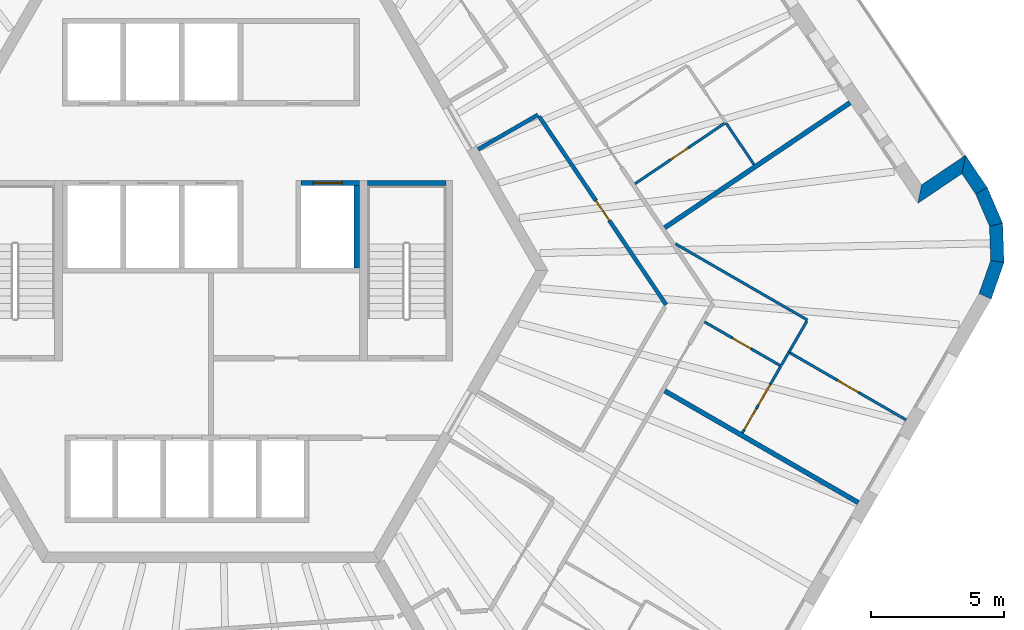
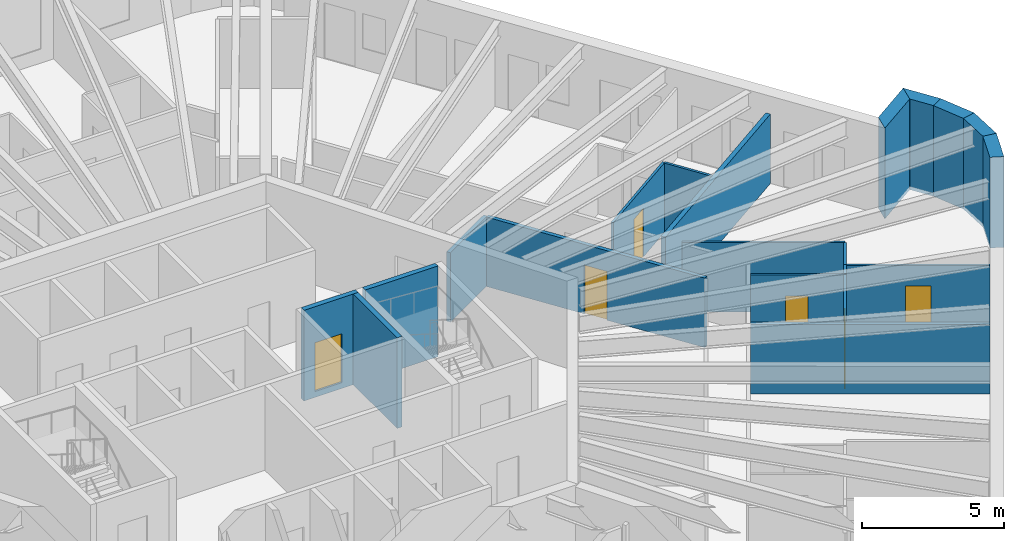
# One storey, part 7 of 12: 20 walls, 7 doors, 7 openings.
"""IFC4 building model written with IfcOpenShell, lengths in metres."""

import ifcopenshell
import ifcopenshell.guid

model = None  # the IFC model being written
_history = None  # IfcOwnerHistory: only IFC2X3 demands one
_inside = {}  # id of a spatial element -> (the spatial element, [elements in it])
_under = {}  # id of a project, library or spatial element -> (it, [spatial elements below it])
_declared = {}  # id of a project -> (the project, [libraries it declares])
_typed = {}  # id of a type object -> (the type object, [elements of that type])
_made_of = {}  # id of a material, layer set ... -> (it, [elements and type objects made of it])


def new_model(schema):
    """Start an empty IFC model of exactly this schema.

    Asked for "IFC4X3", IfcOpenShell would pick the latest addendum, in which some entities
    have other attributes; the version numbers below select the first issue.
    IFC2X3 requires an IfcOwnerHistory on every rooted entity: one is made here for all.
    """
    global model, _history
    if schema == "IFC4X3":
        model = ifcopenshell.file(schema_version=(4, 3, 0, 0))
    else:
        model = ifcopenshell.file(schema=schema)
    _inside.clear()
    _under.clear()
    _declared.clear()
    _typed.clear()
    _made_of.clear()
    _history = None
    if model.schema == "IFC2X3":
        org = make("IfcOrganization", Name="unknown")
        user = make(
            "IfcPersonAndOrganization",
            ThePerson=make("IfcPerson", FamilyName="unknown"),
            TheOrganization=org,
        )
        app = make(
            "IfcApplication",
            ApplicationDeveloper=org,
            Version="unknown",
            ApplicationFullName="unknown",
            ApplicationIdentifier="unknown",
        )
        _history = make(
            "IfcOwnerHistory",
            OwningUser=user,
            OwningApplication=app,
            ChangeAction="ADDED",
            CreationDate=0,
        )
    return model


def make(cls, **values):
    """One entity of the class cls with the attributes given. An attribute that is None is left unset."""
    return model.create_entity(
        cls, **{name: value for name, value in values.items() if value is not None}
    )


def rooted(cls, **values):
    """An entity with a GlobalId (a new one), such as an element, a storey or a relation."""
    return make(cls, GlobalId=ifcopenshell.guid.new(), OwnerHistory=_history, **values)


def si_unit(unit_type, name, prefix=None):
    """IfcSIUnit, for example si_unit("LENGTHUNIT", "METRE", prefix="MILLI")."""
    return make("IfcSIUnit", UnitType=unit_type, Prefix=prefix, Name=name)


def assignment(units):
    """IfcUnitAssignment: the units of a project."""
    return None if units is None else make("IfcUnitAssignment", Units=units)


def point(xyz):
    """IfcCartesianPoint."""
    return None if xyz is None else make("IfcCartesianPoint", Coordinates=xyz)


def direction(xyz):
    """IfcDirection."""
    return None if xyz is None else make("IfcDirection", DirectionRatios=xyz)


def frame(location, z_axis=None, x_axis=None):
    """IfcAxis2Placement3D, a coordinate frame: its origin and axes. An axis left out is left unset."""
    return make(
        "IfcAxis2Placement3D",
        Location=point(location),
        Axis=direction(z_axis),
        RefDirection=direction(x_axis),
    )


def frame_2d(location, x_axis=None):
    """IfcAxis2Placement2D, a coordinate frame in the plane: its origin and x axis."""
    return make(
        "IfcAxis2Placement2D", Location=point(location), RefDirection=direction(x_axis)
    )


def origin():
    """The frame at (0, 0, 0) with its axes left unset."""
    return frame((0.0, 0.0, 0.0))


def place(relative_to, where):
    """IfcLocalPlacement: puts the frame where relative to a parent placement (None: the world)."""
    return make(
        "IfcLocalPlacement", PlacementRelTo=relative_to, RelativePlacement=where
    )


def context(
    kind, dimensions, precision=None, world=None, true_north=None, identifier=None
):
    """IfcGeometricRepresentationContext, for example the 3D "Model" context."""
    return make(
        "IfcGeometricRepresentationContext",
        ContextIdentifier=identifier,
        ContextType=kind,
        CoordinateSpaceDimension=dimensions,
        Precision=precision,
        WorldCoordinateSystem=world,
        TrueNorth=true_north,
    )


def subcontext(parent, identifier, kind, view, scale=None):
    """IfcGeometricRepresentationSubContext, for example "Body" below "Model"."""
    return make(
        "IfcGeometricRepresentationSubContext",
        ContextIdentifier=identifier,
        ContextType=kind,
        ParentContext=parent,
        TargetScale=scale,
        TargetView=view,
    )


def project(units=None, contexts=None):
    """IfcProject with its units and contexts."""
    return rooted(
        "IfcProject",
        Name="project",
        RepresentationContexts=contexts,
        UnitsInContext=assignment(units),
    )


def spatial(cls, under=None, at=None, **own):
    """A site, building, storey or space (cls), placed at a placement, below another one or the project."""
    s = rooted(cls, ObjectPlacement=at, **own)
    if under is not None:
        _under.setdefault(under.id(), (under, []))[1].append(s)
    return s


def polyline(points):
    """IfcPolyline through the points."""
    return make("IfcPolyline", Points=[point(p) for p in points])


def profile(cls, at=None, kind="AREA", **sizes):
    """A parametric profile (cls). Its sizes go by their IFC names, for example OverallWidth=200.0."""
    return make(cls, ProfileType=kind, Position=at, **sizes)


def rectangle(**sizes):
    """IfcRectangleProfileDef."""
    return profile("IfcRectangleProfileDef", **sizes)


def outline(outer, holes=None, kind="AREA"):
    """IfcArbitraryClosedProfileDef: a profile drawn as a closed curve; with holes, ...WithVoids."""
    if holes is None:
        return make("IfcArbitraryClosedProfileDef", ProfileType=kind, OuterCurve=outer)
    return make(
        "IfcArbitraryProfileDefWithVoids",
        ProfileType=kind,
        OuterCurve=outer,
        InnerCurves=holes,
    )


def extrude(swept, where, along, depth):
    """IfcExtrudedAreaSolid: the profile swept, set in the frame where, extruded along a direction by depth."""
    return make(
        "IfcExtrudedAreaSolid",
        SweptArea=swept,
        Position=where,
        ExtrudedDirection=direction(along),
        Depth=depth,
    )


def shape(context_of_items, identifier, shape_type, items):
    """IfcShapeRepresentation: the items that make up one representation, for example the "Body"."""
    return make(
        "IfcShapeRepresentation",
        ContextOfItems=context_of_items,
        RepresentationIdentifier=identifier,
        RepresentationType=shape_type,
        Items=items,
    )


def material(Name=None, Category=None):
    """IfcMaterial."""
    return make("IfcMaterial", Name=Name, Category=Category)


def layer(
    of_material, thickness, ventilated=None, Name=None, Category=None, Priority=None
):
    """IfcMaterialLayer: one layer of a wall or slab, of a material (None: an air gap)."""
    return make(
        "IfcMaterialLayer",
        Material=of_material,
        LayerThickness=thickness,
        IsVentilated=ventilated,
        Name=Name,
        Category=Category,
        Priority=Priority,
    )


def layer_set(layers, Name=None):
    """IfcMaterialLayerSet."""
    return make("IfcMaterialLayerSet", MaterialLayers=layers, LayerSetName=Name)


def made_of(thing, what):
    """Note that an element or type object is made of a material, layer set ...; save() writes the relation."""
    if what is not None:
        _made_of.setdefault(what.id(), (what, []))[1].append(thing)
    return thing


def type_object(cls, material=None, **own):
    """A type object (cls), such as IfcWallType, which elements share."""
    return made_of(rooted(cls, **own), material)


def element(
    cls,
    number,
    at=None,
    inside=None,
    cuts=None,
    type_object=None,
    material=None,
    context=None,
    identifier="Body",
    shape_type=None,
    held_by="IfcProductDefinitionShape",
    body=None,
    shapes=None,
    **own,
):
    """One element of the class cls, such as IfcWall. Its Tag is "e" and its number.

    at: its placement. inside: the storey or other place that contains it. cuts: it is an
    opening in that element (IfcRelVoidsElement). A single representation is given by context,
    identifier, shape_type and body (its items); several are given by shapes. held_by: the class
    of the entity that holds the representations. save() writes the other relations.
    """
    e = rooted(cls, Tag="e%d" % number, ObjectPlacement=at, **own)
    if body is not None:
        shapes = [shape(context, identifier, shape_type, body)]
    if shapes is not None:
        e.Representation = make(held_by, Representations=shapes)
    if inside is not None:
        _inside.setdefault(inside.id(), (inside, []))[1].append(e)
    if cuts is not None:
        rooted(
            "IfcRelVoidsElement", RelatingBuildingElement=cuts, RelatedOpeningElement=e
        )
    if type_object is not None:
        _typed.setdefault(type_object.id(), (type_object, []))[1].append(e)
    return made_of(e, material)


def fill(opening, filler):
    """IfcRelFillsElement: the door or window that sits in an opening."""
    return rooted(
        "IfcRelFillsElement",
        RelatingOpeningElement=opening,
        RelatedBuildingElement=filler,
    )


def aggregate(whole, parts):
    """IfcRelAggregates: a whole, such as a stair, and the parts it consists of."""
    return rooted("IfcRelAggregates", RelatingObject=whole, RelatedObjects=parts)


def save(model, path):
    """Write the relations noted so far, then the file.

    IfcRelAggregates (storeys below a building ...), IfcRelContainedInSpatialStructure (elements
    in a storey), IfcRelDefinesByType, IfcRelAssociatesMaterial and IfcRelDeclares: one each for
    every whole, place, type object, material and project.
    """
    for whole, parts in _under.values():
        aggregate(whole, parts)
    for where, things in _inside.values():
        rooted(
            "IfcRelContainedInSpatialStructure",
            RelatedElements=things,
            RelatingStructure=where,
        )
    for kind, things in _typed.values():
        rooted("IfcRelDefinesByType", RelatedObjects=things, RelatingType=kind)
    for what, things in _made_of.values():
        rooted("IfcRelAssociatesMaterial", RelatedObjects=things, RelatingMaterial=what)
    for by, libraries in _declared.values():
        rooted("IfcRelDeclares", RelatingContext=by, RelatedDefinitions=libraries)
    model.write(path)


model = new_model("IFC4")

# Units and contexts
model_context = context("Model", 3, precision=1e-05, world=origin(), true_north=direction((0.0, 1.0)))
body_context = subcontext(model_context, "Body", "Model", "MODEL_VIEW")
ifc_project = project(units=[si_unit("LENGTHUNIT", "METRE"), si_unit("AREAUNIT", "SQUARE_METRE"), si_unit("VOLUMEUNIT", "CUBIC_METRE"), si_unit("PLANEANGLEUNIT", "RADIAN"), si_unit("MASSUNIT", "GRAM", prefix="KILO")], contexts=[model_context])

# Site, building, storey
site_placement = place(None, origin())
site = spatial("IfcSite", under=ifc_project, at=site_placement, CompositionType="ELEMENT")
building_placement = place(site_placement, origin())
building = spatial("IfcBuilding", under=site, at=building_placement, Name="Tarnside Tower", CompositionType="ELEMENT")
storey_placement = place(building_placement, frame((0.0, 0.0, 295.199951171875)))
storey = spatial("IfcBuildingStorey", under=building, at=storey_placement, Name="L71", CompositionType="ELEMENT", Elevation=295.199951171875)

# Walls
ifc_material_1 = material(Name="Gypsum board partition on steel studs", Category="steel")
ifc_layer_1 = layer(ifc_material_1, 0.10009765625)
ifc_layer_set_1 = layer_set([ifc_layer_1], Name="Bathroom wall 100")
wall_type_1 = type_object("IfcWallType", Name="Bathroom wall 100", PredefinedType="PARTITIONING", material=ifc_layer_set_1)
wall_1_placement = place(storey_placement, frame((17.50390625, 1.0078125, 0.0), z_axis=(0.0, 0.0, 1.0), x_axis=(0.866022112445, -0.500005700723, 0.0)))
element("IfcWall", 1, at=wall_1_placement, inside=storey, type_object=wall_type_1, Name="Bathroom wall 23149", PredefinedType="PARTITIONING", context=body_context, shape_type="SweptSolid", body=[
    extrude(rectangle(XDim=5.7451171875, YDim=0.10009765625, at=frame_2d((2.87255859375, 0.0))), origin(), (0.0, 0.0, 1.0), 2.98779296875),
])
wall_2_placement = place(storey_placement, frame((22.454345703125, -1.907958984375, 0.0), z_axis=(0.0, 0.0, 1.0), x_axis=(-0.500003806764, -0.866023205937, 0.0)))
element("IfcWall", 2, at=wall_2_placement, inside=storey, type_object=wall_type_1, Name="Bathroom wall 23150", PredefinedType="PARTITIONING", context=body_context, shape_type="SweptSolid", body=[
    extrude(rectangle(XDim=1.35205078125, YDim=0.10009765625, at=frame_2d((0.676025390625, 0.0))), origin(), (0.0, 0.0, 1.0), 2.98779296875),
])

# Wall, opening, door
wall_3_placement = place(storey_placement, frame((21.479248046875, -3.5966796875, 0.0), z_axis=(0.0, 0.0, 1.0), x_axis=(-0.866033959199, 0.499985181294, 0.0)))
wall_3 = element("IfcWall", 3, at=wall_3_placement, inside=storey, type_object=wall_type_1, Name="Bathroom wall 23154", PredefinedType="PARTITIONING", context=body_context, shape_type="SweptSolid", body=[
    extrude(rectangle(XDim=3.32470703125, YDim=0.10009765625, at=frame_2d((1.662353515625, 0.0))), origin(), (0.0, 0.0, 1.0), 2.98779296875),
])
opening_1_placement = place(wall_3_placement, frame((1.300048828125, 0.0, 0.0)))
opening_1 = element("IfcOpeningElement", 4, at=opening_1_placement, cuts=wall_3, Name="Opening D-B1", PredefinedType="OPENING", context=body_context, shape_type="SweptSolid", body=[
    extrude(rectangle(XDim=0.800048828125, YDim=2.10009765625, at=frame_2d((0.39990234375, 1.050048828125))), frame((0.0, 0.06005859375, 0.0), z_axis=(0.0, -1.0, 0.0), x_axis=(1.0, 0.0, 0.0)), (0.0, 0.0, 1.0), 0.1201171875),
])
ifc_material_2 = material(Name="Timber door leaf", Category="wood")
door_type_1 = type_object("IfcDoorType", Name="Bathroom door 800", OperationType="NOTDEFINED", PredefinedType="DOOR", material=ifc_material_2)
door_1_placement = place(opening_1_placement, origin())
door_1 = element("IfcDoor", 5, at=door_1_placement, inside=storey, type_object=door_type_1, Name="Bathroom door 23047", OperationType="SINGLE_SWING_LEFT", OverallHeight=2.10009765625, OverallWidth=0.800048828125, PredefinedType="DOOR", context=body_context, shape_type="SweptSolid", body=[
    extrude(rectangle(XDim=0.800048828125, YDim=2.10009765625, at=frame_2d((0.39990234375, 1.050048828125))), frame((0.0, 0.02490234375, 0.0), z_axis=(0.0, -1.0, 0.0), x_axis=(1.0, 0.0, 0.0)), (0.0, 0.0, 1.0), 0.050048828125),
])
fill(opening_1, door_1)

# Wall
wall_4_placement = place(storey_placement, frame((21.50341796875, -3.55517578125, 0.0), z_axis=(0.0, 0.0, 1.0), x_axis=(0.499850094852, 0.866111934265, 0.0)))
element("IfcWall", 6, at=wall_4_placement, inside=storey, type_object=wall_type_1, Name="Bathroom wall 23156", PredefinedType="PARTITIONING", context=body_context, shape_type="SweptSolid", body=[
    extrude(rectangle(XDim=0.552001953125, YDim=0.10009765625, at=frame_2d((0.27587890625, 0.0))), origin(), (0.0, 0.0, 1.0), 2.98779296875),
])

# Wall, opening, door
wall_5_placement = place(storey_placement, frame((15.978515625, 3.269287109375, 0.0), z_axis=(0.0, 0.0, 1.0), x_axis=(0.829051710838, 0.559171942033, 0.0)))
wall_5 = element("IfcWall", 7, at=wall_5_placement, inside=storey, type_object=wall_type_1, Name="Bathroom wall 23161", PredefinedType="PARTITIONING", context=body_context, shape_type="SweptSolid", body=[
    extrude(rectangle(XDim=4.125, YDim=0.10009765625, at=frame_2d((2.0625, 0.0))), origin(), (0.0, 0.0, 1.0), 2.98779296875),
])
opening_2_placement = place(wall_5_placement, frame((1.625, 0.0, 0.0)))
opening_2 = element("IfcOpeningElement", 8, at=opening_2_placement, cuts=wall_5, Name="Opening D-B1", PredefinedType="OPENING", context=body_context, shape_type="SweptSolid", body=[
    extrude(rectangle(XDim=0.800048828125, YDim=2.10009765625, at=frame_2d((0.39990234375, 1.050048828125))), frame((0.0, 0.06005859375, 0.0), z_axis=(0.0, -1.0, 0.0), x_axis=(1.0, 0.0, 0.0)), (0.0, 0.0, 1.0), 0.1201171875),
])
door_2_placement = place(opening_2_placement, origin())
door_2 = element("IfcDoor", 9, at=door_2_placement, inside=storey, type_object=door_type_1, Name="Bathroom door 23052", OperationType="SINGLE_SWING_RIGHT", OverallHeight=2.10009765625, OverallWidth=0.800048828125, PredefinedType="DOOR", context=body_context, shape_type="SweptSolid", body=[
    extrude(rectangle(XDim=0.800048828125, YDim=2.10009765625, at=frame_2d((0.39990234375, 1.050048828125))), frame((0.0, 0.02490234375, 0.0), z_axis=(0.0, -1.0, 0.0), x_axis=(1.0, 0.0, 0.0)), (0.0, 0.0, 1.0), 0.050048828125),
])
fill(opening_2, door_2)

# Walls
wall_6_placement = place(storey_placement, frame((20.46630859375, 3.992431640625, 0.0), z_axis=(0.0, 0.0, 1.0), x_axis=(-0.559110227504, 0.829093332201, 0.0)))
element("IfcWall", 10, at=wall_6_placement, inside=storey, type_object=wall_type_1, Name="Bathroom wall 23163", PredefinedType="PARTITIONING", context=body_context, shape_type="SweptSolid", body=[
    extrude(rectangle(XDim=1.86181640625, YDim=0.10009765625, at=frame_2d((0.930908203125, 0.0))), origin(), (0.0, 0.0, 1.0), 2.98779296875),
])
ifc_layer_2 = layer(ifc_material_1, 0.14990234375)
ifc_layer_set_2 = layer_set([ifc_layer_2], Name="Corridor wall 150 EI 60")
wall_type_2 = type_object("IfcWallType", Name="Corridor wall 150 EI 60", PredefinedType="PARTITIONING", material=ifc_layer_set_2)
wall_7_placement = place(storey_placement, frame((10.065673828125, 4.565673828125, 0.0), z_axis=(0.0, 0.0, 1.0), x_axis=(0.866034402474, 0.499984413489, 0.0)))
element("IfcWall", 11, at=wall_7_placement, inside=storey, type_object=wall_type_2, Name="Corridor wall 23069", PredefinedType="PARTITIONING", context=body_context, shape_type="SweptSolid", body=[
    extrude(rectangle(XDim=2.6083984375, YDim=0.14990234375, at=frame_2d((1.30419921875, 0.0))), origin(), (0.0, 0.0, 1.0), 2.98779296875),
])

# Wall, opening, door
wall_8_placement = place(storey_placement, frame((12.36669921875, 5.8076171875, 0.0), z_axis=(0.0, 0.0, 1.0), x_axis=(0.559187256666, -0.829041381345, 0.0)))
wall_8 = element("IfcWall", 12, at=wall_8_placement, inside=storey, type_object=wall_type_2, Name="Corridor wall 23070", PredefinedType="PARTITIONING", context=body_context, shape_type="SweptSolid", body=[
    extrude(rectangle(XDim=8.560302734375, YDim=0.14990234375, at=frame_2d((4.2802734375, 0.0))), origin(), (0.0, 0.0, 1.0), 2.98779296875),
])
opening_3_placement = place(wall_8_placement, frame((3.830078125, 0.0, 0.0)))
opening_3 = element("IfcOpeningElement", 13, at=opening_3_placement, cuts=wall_8, Name="Opening D-S1", PredefinedType="OPENING", context=body_context, shape_type="SweptSolid", body=[
    extrude(rectangle(XDim=0.89990234375, YDim=2.10009765625, at=frame_2d((0.449951171875, 1.050048828125))), frame((0.0, 0.0849609375, 0.0), z_axis=(0.0, -1.0, 0.0), x_axis=(1.0, 0.0, 0.0)), (0.0, 0.0, 1.0), 0.169921875),
])
door_type_2 = type_object("IfcDoorType", Name="Service room door 900 FD30S", OperationType="NOTDEFINED", PredefinedType="DOOR", material=ifc_material_2)
door_3_placement = place(opening_3_placement, origin())
door_3 = element("IfcDoor", 14, at=door_3_placement, inside=storey, type_object=door_type_2, Name="Service door 23062", OperationType="SINGLE_SWING_RIGHT", OverallHeight=2.10009765625, OverallWidth=0.89990234375, PredefinedType="DOOR", context=body_context, shape_type="SweptSolid", body=[
    extrude(rectangle(XDim=0.89990234375, YDim=2.10009765625, at=frame_2d((0.449951171875, 1.050048828125))), frame((0.0, 0.02490234375, 0.0), z_axis=(0.0, -1.0, 0.0), x_axis=(1.0, 0.0, 0.0)), (0.0, 0.0, 1.0), 0.050048828125),
])
fill(opening_3, door_3)

# Walls
ifc_layer_3 = layer(ifc_material_1, 0.179931640625)
ifc_layer_set_3 = layer_set([ifc_layer_3], Name="Demising wall 180 EI 60")
wall_type_3 = type_object("IfcWallType", Name="Demising wall 180 EI 60", PredefinedType="PARTITIONING", material=ifc_layer_set_3)
for number, where, z_axis, x_axis, name in (
    (15, (24.39599609375, -8.744873046875, 0.0), (0.0, 0.0, 1.0), (-0.866014270972, 0.500019282102, 0.0), "Demising wall 23142"),
    (16, (24.08154296875, 6.322509765625, 0.0), (0.0, 0.0, 1.0), (-0.829037762759, -0.559192621481, 0.0), "Demising wall 23152"),
):
    element("IfcWall", number, at=place(storey_placement, frame(where, z_axis=z_axis, x_axis=x_axis)), inside=storey, type_object=wall_type_3, Name=name, PredefinedType="PARTITIONING", context=body_context, shape_type="SweptSolid", body=[
        extrude(rectangle(XDim=8.425048828125, YDim=0.179931640625, at=frame_2d((4.21240234375, 0.0))), origin(), (0.0, 0.0, 1.0), 2.98779296875),
    ])

# Wall, opening, door
ifc_material_3 = material(Name="Concrete C40/50", Category="concrete")
ifc_layer_4 = layer(ifc_material_3, 0.199951171875)
ifc_layer_set_4 = layer_set([ifc_layer_4], Name="Lift shaft wall 200 C40/50")
wall_type_4 = type_object("IfcWallType", Name="Lift shaft wall 200 C40/50", PredefinedType="SHEAR", material=ifc_layer_set_4)
wall_9_placement = place(storey_placement, frame((3.39990234375, 3.300048828125, -0.25), z_axis=(0.0, 0.0, 1.0), x_axis=(1.0, 0.0, 0.0)))
wall_9 = element("IfcWall", 17, at=wall_9_placement, inside=storey, type_object=wall_type_4, Name="L71 lift shaft front wall R2 2", PredefinedType="SHEAR", context=body_context, shape_type="SweptSolid", body=[
    extrude(rectangle(XDim=2.2001953125, YDim=0.199951171875, at=frame_2d((1.10009765625, 0.0))), origin(), (0.0, 0.0, 1.0), 3.900146484375),
])
opening_4_placement = place(wall_9_placement, frame((0.449951171875, 0.0, 0.25)))
opening_4 = element("IfcOpeningElement", 18, at=opening_4_placement, cuts=wall_9, Name="Opening LD", PredefinedType="OPENING", context=body_context, shape_type="SweptSolid", body=[
    extrude(rectangle(XDim=1.10009765625, YDim=2.10009765625, at=frame_2d((0.550048828125, 1.050048828125))), frame((0.0, 0.10986328125, 0.0), z_axis=(0.0, -1.0, 0.0), x_axis=(1.0, 0.0, 0.0)), (0.0, 0.0, 1.0), 0.219970703125),
])
ifc_material_4 = material(Name="Stainless steel", Category="steel")
door_type_3 = type_object("IfcDoorType", Name="Lift landing door 1100x2100", OperationType="NOTDEFINED", PredefinedType="DOOR", material=ifc_material_4)
door_4_placement = place(opening_4_placement, origin())
door_4 = element("IfcDoor", 19, at=door_4_placement, inside=storey, type_object=door_type_3, Name="Express sky-lobby shuttle 2 landing door L71", OperationType="SLIDING_TO_LEFT", OverallHeight=2.10009765625, OverallWidth=1.10009765625, PredefinedType="DOOR", context=body_context, shape_type="SweptSolid", body=[
    extrude(rectangle(XDim=1.10009765625, YDim=2.10009765625, at=frame_2d((0.550048828125, 1.050048828125))), frame((0.0, 0.02490234375, 0.0), z_axis=(0.0, -1.0, 0.0), x_axis=(1.0, 0.0, 0.0)), (0.0, 0.0, 1.0), 0.050048828125),
])
fill(opening_4, door_4)

# Walls
wall_10_placement = place(storey_placement, frame((5.5, 0.10009765625, -0.25), z_axis=(0.0, 0.0, 1.0), x_axis=(0.0, 1.0, 0.0)))
element("IfcWall", 20, at=wall_10_placement, inside=storey, type_object=wall_type_4, Name="L71 lift shaft partition R26", PredefinedType="SHEAR", context=body_context, shape_type="SweptSolid", body=[
    extrude(rectangle(XDim=3.099853515625, YDim=0.199951171875, at=frame_2d((1.5498046875, 0.0))), origin(), (0.0, 0.0, 1.0), 3.900146484375),
])
wall_11_placement = place(storey_placement, frame((5.89990234375, 3.300048828125, -0.25), z_axis=(0.0, 0.0, 1.0), x_axis=(1.0, 0.0, 0.0)))
element("IfcWall", 21, at=wall_11_placement, inside=storey, type_object=wall_type_4, Name="L71 stair 1 enclosure cap wall n", PredefinedType="SHEAR", context=body_context, shape_type="SweptSolid", body=[
    extrude(rectangle(XDim=2.9501953125, YDim=0.199951171875, at=frame_2d((1.47509765625, 0.0))), origin(), (0.0, 0.0, 1.0), 3.900146484375),
])
ifc_material_5 = material(Name="Dark zinc cladding")
ifc_layer_5 = layer(ifc_material_5, 0.10205078125)
ifc_material_6 = material(Name="Concrete C60/75 precast", Category="concrete")
ifc_layer_6 = layer(ifc_material_6, 0.298095703125)
ifc_material_7 = material(Name="Mineral wool insulation")
ifc_layer_7 = layer(ifc_material_7, 0.10009765625)
ifc_layer_set_5 = layer_set([ifc_layer_5, ifc_layer_6, ifc_layer_7], Name="Loggia wall 500 zinc faced")
wall_type_5 = type_object("IfcWallType", Name="Loggia wall 500 zinc faced", PredefinedType="SOLIDWALL", material=ifc_layer_set_5)
wall_12_placement = place(storey_placement, frame((29.034912109375, 3.00244140625, -0.14990234375), z_axis=(0.0, 0.0, 1.0), x_axis=(-0.559200218553, 0.829032638423, 0.0)))
element("IfcWall", 22, at=wall_12_placement, inside=storey, type_object=wall_type_5, Name="Tube wall L71 F6 stub 28", PredefinedType="SOLIDWALL", context=body_context, shape_type="SweptSolid", body=[
    extrude(outline(polyline([(-0.0234375, -0.25), (1.44970703125, -0.25), (0.94970703125, 0.25), (0.0234375, 0.25), (-0.0234375, -0.25)])), origin(), (0.0, 0.0, 1.0), 3.89990234375),
])
wall_13_placement = place(storey_placement, frame((28.364013671875, 3.9970703125, -0.14990234375), z_axis=(0.0, 0.0, 1.0), x_axis=(-0.829108975345, -0.5590870299, 0.0)))
element("IfcWall", 23, at=wall_13_placement, inside=storey, type_object=wall_type_5, Name="Tube wall L71 F6 return 29", PredefinedType="SOLIDWALL", context=body_context, shape_type="SweptSolid", body=[
    extrude(outline(polyline([(-0.25, -0.25), (1.75, -0.25), (2.25, 0.25), (0.25, 0.25), (-0.25, -0.25)])), origin(), (0.0, 0.0, 1.0), 3.89990234375),
])

# Wall, opening, door
ifc_layer_8 = layer(ifc_material_1, 0.10009765625)
ifc_layer_set_6 = layer_set([ifc_layer_8], Name="Partition 100")
wall_type_6 = type_object("IfcWallType", Name="Partition 100", PredefinedType="PARTITIONING", material=ifc_layer_set_6)
wall_14_placement = place(storey_placement, frame((21.822509765625, -3.10205078125, 0.0), z_axis=(0.0, 0.0, 1.0), x_axis=(0.866018134068, -0.500012591307, 0.0)))
wall_14 = element("IfcWall", 24, at=wall_14_placement, inside=storey, type_object=wall_type_6, Name="Partition wall 23151", PredefinedType="PARTITIONING", context=body_context, shape_type="SweptSolid", body=[
    extrude(rectangle(XDim=5.050048828125, YDim=0.10009765625, at=frame_2d((2.52490234375, 0.0))), origin(), (0.0, 0.0, 1.0), 2.98779296875),
])
opening_5_placement = place(wall_14_placement, frame((2.074951171875, 0.0, 0.0)))
opening_5 = element("IfcOpeningElement", 25, at=opening_5_placement, cuts=wall_14, Name="Opening D-I1", PredefinedType="OPENING", context=body_context, shape_type="SweptSolid", body=[
    extrude(rectangle(XDim=0.89990234375, YDim=2.10009765625, at=frame_2d((0.449951171875, 1.050048828125))), frame((0.0, 0.06005859375, 0.0), z_axis=(0.0, -1.0, 0.0), x_axis=(1.0, 0.0, 0.0)), (0.0, 0.0, 1.0), 0.1201171875),
])
door_type_4 = type_object("IfcDoorType", Name="Internal door 900", OperationType="NOTDEFINED", PredefinedType="DOOR", material=ifc_material_2)
door_5_placement = place(opening_5_placement, origin())
door_5 = element("IfcDoor", 26, at=door_5_placement, inside=storey, type_object=door_type_4, Name="Internal door 23057", OperationType="SINGLE_SWING_RIGHT", OverallHeight=2.10009765625, OverallWidth=0.89990234375, PredefinedType="DOOR", context=body_context, shape_type="SweptSolid", body=[
    extrude(rectangle(XDim=0.89990234375, YDim=2.10009765625, at=frame_2d((0.449951171875, 1.050048828125))), frame((0.0, 0.02490234375, 0.0), z_axis=(0.0, -1.0, 0.0), x_axis=(1.0, 0.0, 0.0)), (0.0, 0.0, 1.0), 0.050048828125),
])
fill(opening_5, door_5)

# Wall, openings, doors
wall_15_placement = place(storey_placement, frame((20.0244140625, -6.116943359375, 0.0), z_axis=(0.0, 0.0, 1.0), x_axis=(0.499935340648, 0.866062731661, 0.0)))
wall_15 = element("IfcWall", 27, at=wall_15_placement, inside=storey, type_object=wall_type_6, Name="Partition wall 23155", PredefinedType="PARTITIONING", context=body_context, shape_type="SweptSolid", body=[
    extrude(rectangle(XDim=2.912109375, YDim=0.10009765625, at=frame_2d((1.4560546875, 0.0))), origin(), (0.0, 0.0, 1.0), 2.98779296875),
])
opening_6_placement = place(wall_15_placement, frame((0.14990234375, 0.0, 0.0)))
opening_6 = element("IfcOpeningElement", 28, at=opening_6_placement, cuts=wall_15, Name="Opening D-I1", PredefinedType="OPENING", context=body_context, shape_type="SweptSolid", body=[
    extrude(rectangle(XDim=0.89990234375, YDim=2.10009765625, at=frame_2d((0.449951171875, 1.050048828125))), frame((0.0, 0.06005859375, 0.0), z_axis=(0.0, -1.0, 0.0), x_axis=(1.0, 0.0, 0.0)), (0.0, 0.0, 1.0), 0.1201171875),
])
opening_7_placement = place(wall_15_placement, frame((1.2099609375, 0.0, 0.0)))
opening_7 = element("IfcOpeningElement", 29, at=opening_7_placement, cuts=wall_15, Name="Opening D-I1", PredefinedType="OPENING", context=body_context, shape_type="SweptSolid", body=[
    extrude(rectangle(XDim=0.89990234375, YDim=2.10009765625, at=frame_2d((0.449951171875, 1.050048828125))), frame((0.0, 0.06005859375, 0.0), z_axis=(0.0, -1.0, 0.0), x_axis=(1.0, 0.0, 0.0)), (0.0, 0.0, 1.0), 0.1201171875),
])
door_6_placement = place(opening_6_placement, origin())
door_6 = element("IfcDoor", 30, at=door_6_placement, inside=storey, type_object=door_type_4, Name="Internal door 23049", OperationType="SINGLE_SWING_LEFT", OverallHeight=2.10009765625, OverallWidth=0.89990234375, PredefinedType="DOOR", context=body_context, shape_type="SweptSolid", body=[
    extrude(rectangle(XDim=0.89990234375, YDim=2.10009765625, at=frame_2d((0.449951171875, 1.050048828125))), frame((0.0, 0.02490234375, 0.0), z_axis=(0.0, -1.0, 0.0), x_axis=(1.0, 0.0, 0.0)), (0.0, 0.0, 1.0), 0.050048828125),
])
fill(opening_6, door_6)
door_7_placement = place(opening_7_placement, origin())
door_7 = element("IfcDoor", 31, at=door_7_placement, inside=storey, type_object=door_type_4, Name="Internal door 23050", OperationType="SINGLE_SWING_LEFT", OverallHeight=2.10009765625, OverallWidth=0.89990234375, PredefinedType="DOOR", context=body_context, shape_type="SweptSolid", body=[
    extrude(rectangle(XDim=0.89990234375, YDim=2.10009765625, at=frame_2d((0.449951171875, 1.050048828125))), frame((0.0, 0.02490234375, 0.0), z_axis=(0.0, -1.0, 0.0), x_axis=(1.0, 0.0, 0.0)), (0.0, 0.0, 1.0), 0.050048828125),
])
fill(opening_7, door_7)

# Walls
ifc_material_8 = material(Name="Facing brick", Category="masonry")
ifc_layer_9 = layer(ifc_material_8, 0.10205078125)
ifc_layer_10 = layer(ifc_material_6, 0.298095703125)
ifc_layer_11 = layer(ifc_material_7, 0.10009765625)
ifc_layer_set_7 = layer_set([ifc_layer_9, ifc_layer_10, ifc_layer_11], Name="Tube wall 500 brick faced")
wall_type_7 = type_object("IfcWallType", Name="Tube wall 500 brick faced", PredefinedType="SOLIDWALL", material=ifc_layer_set_7)
wall_16_placement = place(storey_placement, frame((29.173828125, -0.9697265625, -0.14990234375), z_axis=(0.0, 0.0, 1.0), x_axis=(0.330961348063, 0.943644311215, 0.0)))
element("IfcWall", 32, at=wall_16_placement, inside=storey, type_object=wall_type_7, Name="Tube wall L71 F5 chord 25", PredefinedType="SOLIDWALL", context=body_context, shape_type="SweptSolid", body=[
    extrude(outline(polyline([(-0.0234375, -0.25), (1.435302734375, -0.25), (1.341064453125, 0.25), (0.0234375, 0.25), (-0.0234375, -0.25)])), origin(), (0.0, 0.0, 1.0), 3.89990234375),
])
wall_17_placement = place(storey_placement, frame((29.63330078125, 0.34033203125, -0.14990234375), z_axis=(0.0, 0.0, 1.0), x_axis=(-0.034825746769, 0.999393399699, 0.0)))
element("IfcWall", 33, at=wall_17_placement, inside=storey, type_object=wall_type_7, Name="Tube wall L71 F5 chord 26", PredefinedType="SOLIDWALL", context=body_context, shape_type="SweptSolid", body=[
    extrude(outline(polyline([(-0.047119140625, -0.25), (1.43505859375, -0.25), (1.3408203125, 0.25), (0.047119140625, 0.25), (-0.047119140625, -0.25)])), origin(), (0.0, 0.0, 1.0), 3.89990234375),
])
wall_18_placement = place(storey_placement, frame((29.5849609375, 1.7275390625, -0.14990234375), z_axis=(0.0, 0.0, 1.0), x_axis=(-0.396146339195, 0.918187387162, 0.0)))
element("IfcWall", 34, at=wall_18_placement, inside=storey, type_object=wall_type_7, Name="Tube wall L71 F5 chord 27", PredefinedType="SOLIDWALL", context=body_context, shape_type="SweptSolid", body=[
    extrude(outline(polyline([(-0.047119140625, -0.25), (1.411865234375, -0.25), (1.364990234375, 0.25), (0.047119140625, 0.25), (-0.047119140625, -0.25)])), origin(), (0.0, 0.0, 1.0), 3.89990234375),
])

save(model, "model.ifc")
